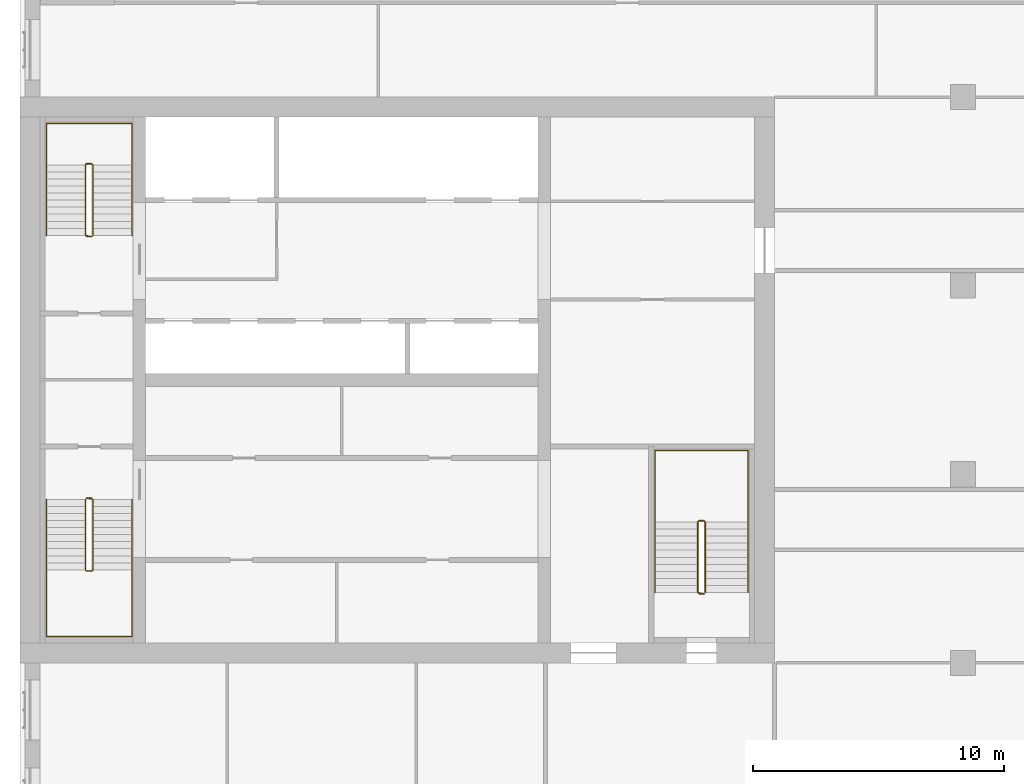
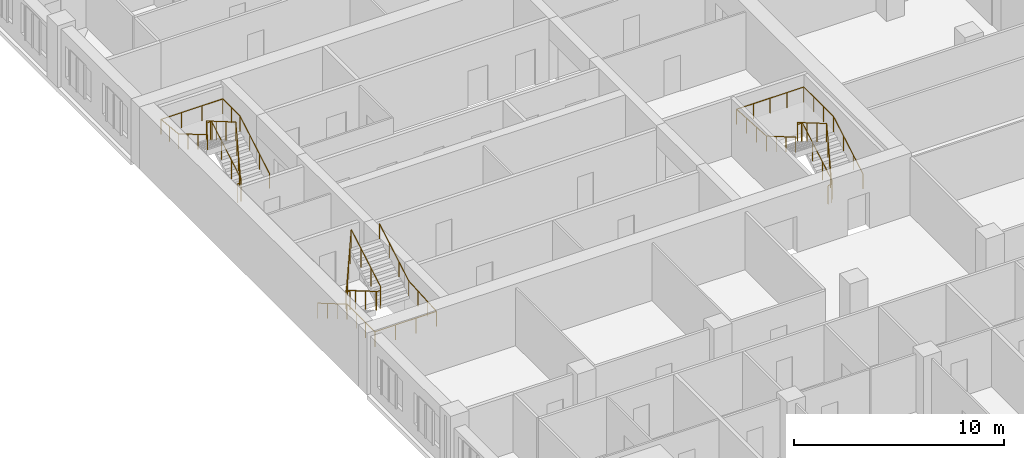
# One storey, part 13 of 13: 6 railings.
"""IFC4 building model written with IfcOpenShell, lengths in metres."""

from ifc_helpers import new_model, si_unit, direction, frame, origin, origin_2d, place, context, subcontext, project, spatial, circle, extrude, material, type_object, element, save


model = new_model("IFC4")

# Units and contexts
model_context = context("Model", 3, precision=1e-05, world=origin(), true_north=direction((0.0, 1.0)))
body_context = subcontext(model_context, "Body", "Model", "MODEL_VIEW")
ifc_project = project(units=[si_unit("LENGTHUNIT", "METRE"), si_unit("AREAUNIT", "SQUARE_METRE"), si_unit("VOLUMEUNIT", "CUBIC_METRE"), si_unit("PLANEANGLEUNIT", "RADIAN"), si_unit("MASSUNIT", "GRAM", prefix="KILO")], contexts=[model_context])

# Site, building, storey
site_placement = place(None, origin())
site = spatial("IfcSite", under=ifc_project, at=site_placement, CompositionType="ELEMENT")
building_placement = place(site_placement, origin())
building = spatial("IfcBuilding", under=site, at=building_placement, Name="Tamorin Gate", CompositionType="ELEMENT")
storey_placement = place(building_placement, frame((0.0, 0.0, 130.199951171875)))
storey = spatial("IfcBuildingStorey", under=building, at=storey_placement, Name="L31", CompositionType="ELEMENT", Elevation=130.199951171875)

# Railings
ifc_material_1 = material(Name="Painted steel balustrade", Category="steel")
railing_type_1 = type_object("IfcRailingType", Name="Stair guard 1100", PredefinedType="GUARDRAIL", material=ifc_material_1)
railing_1_placement = place(storey_placement, frame((32.60009765625, 66.5, 0.16357421875)))
element("IfcRailing", 1, at=railing_1_placement, inside=storey, type_object=railing_type_1, Name="L31 ST1 stair guard 1", PredefinedType="GUARDRAIL", context=body_context, shape_type="SweptSolid", body=[
    extrude(circle(Radius=0.02392578125, at=origin_2d()), frame((0.0, 0.0, 1.076171875), z_axis=(0.0, -0.863360870873, 0.504586966384), x_axis=(1.0, 0.0, 0.0)), (0.0, 0.0, 1.0), 3.2431640625),
    extrude(circle(Radius=0.02392578125, at=origin_2d()), frame((0.0, -2.800048828125, 2.71240234375), z_axis=(0.705375805398, -0.708833529934, 0.0), x_axis=(0.708833529934, 0.705375805398, 0.0)), (0.0, 0.0, 1.0), 0.070556640625),
    extrude(circle(Radius=0.02392578125, at=origin_2d()), frame((0.0498046875, -2.85009765625, 2.71240234375), z_axis=(1.0, 0.0, 0.0), x_axis=(0.0, 1.0, 0.0)), (0.0, 0.0, 1.0), 0.2001953125),
    extrude(circle(Radius=0.02392578125, at=origin_2d()), frame((0.25, -2.85009765625, 2.71240234375), z_axis=(0.279546231943, 0.280916556609, 0.91811752648), x_axis=(-0.708833529934, 0.705375805398, 0.0)), (0.0, 0.0, 1.0), 0.17822265625),
    extrude(circle(Radius=0.02392578125, at=origin_2d()), frame((0.2998046875, -2.800048828125, 2.8759765625), z_axis=(0.0, 0.863360870873, 0.504586966384), x_axis=(-1.0, 0.0, 0.0)), (0.0, 0.0, 1.0), 3.2431640625),
    extrude(circle(Radius=0.02392578125, at=origin_2d()), frame((0.2998046875, 0.0, 4.5126953125), z_axis=(-0.069269067181, 0.013867342551, -0.997501625634), x_axis=(-0.196300278283, -0.98054382908, 0.0)), (0.0, 0.0, 1.0), 3.609130859375),
    extrude(circle(Radius=0.02392578125, at=origin_2d()), frame((0.0498046875, 0.050048828125, 0.91259765625), z_axis=(1.0, 0.0, 0.0), x_axis=(0.0, 1.0, 0.0)), (0.0, 0.0, 1.0), 0.2001953125),
    extrude(circle(Radius=0.02099609375, at=origin_2d()), origin(), (0.0, 0.0, 1.0), 1.052001953125),
    extrude(circle(Radius=0.02099609375, at=origin_2d()), frame((0.0, -0.933349609375, 0.54541015625)), (0.0, 0.0, 1.0), 1.052001953125),
    extrude(circle(Radius=0.02099609375, at=origin_2d()), frame((0.0, -1.86669921875, 1.091064453125)), (0.0, 0.0, 1.0), 1.052001953125),
    extrude(circle(Radius=0.02099609375, at=origin_2d()), frame((0.0, -2.800048828125, 1.636474609375)), (0.0, 0.0, 1.0), 1.052001953125),
    extrude(circle(Radius=0.02099609375, at=origin_2d()), frame((0.0498046875, -2.85009765625, 1.636474609375)), (0.0, 0.0, 1.0), 1.052001953125),
    extrude(circle(Radius=0.02099609375, at=origin_2d()), frame((0.25, -2.85009765625, 1.636474609375)), (0.0, 0.0, 1.0), 1.052001953125),
    extrude(circle(Radius=0.02099609375, at=origin_2d()), frame((0.2998046875, -2.800048828125, 1.800048828125)), (0.0, 0.0, 1.0), 1.052001953125),
    extrude(circle(Radius=0.02099609375, at=origin_2d()), frame((0.2998046875, -1.86669921875, 2.345458984375)), (0.0, 0.0, 1.0), 1.052001953125),
    extrude(circle(Radius=0.02099609375, at=origin_2d()), frame((0.2998046875, -0.933349609375, 2.89111328125)), (0.0, 0.0, 1.0), 1.052001953125),
    extrude(circle(Radius=0.02099609375, at=origin_2d()), frame((0.2998046875, 0.0, 3.4365234375)), (0.0, 0.0, 1.0), 1.052001953125),
    extrude(circle(Radius=0.02099609375, at=origin_2d()), frame((0.2373046875, 0.012451171875, 2.53662109375)), (0.0, 0.0, 1.0), 1.052001953125),
    extrude(circle(Radius=0.02099609375, at=origin_2d()), frame((0.1748046875, 0.02490234375, 1.636474609375)), (0.0, 0.0, 1.0), 1.052001953125),
    extrude(circle(Radius=0.02099609375, at=origin_2d()), frame((0.1123046875, 0.03759765625, 0.736328125)), (0.0, 0.0, 1.0), 1.052001953125),
    extrude(circle(Radius=0.02099609375, at=origin_2d()), frame((0.0498046875, 0.050048828125, -0.16357421875)), (0.0, 0.0, 1.0), 1.052001953125),
    extrude(circle(Radius=0.02099609375, at=origin_2d()), frame((0.25, 0.050048828125, -0.16357421875)), (0.0, 0.0, 1.0), 1.052001953125),
])
railing_2_placement = place(storey_placement, frame((32.89990234375, 77.0, 0.16357421875)))
element("IfcRailing", 2, at=railing_2_placement, inside=storey, type_object=railing_type_1, Name="L31 ST2 stair guard 1", PredefinedType="GUARDRAIL", context=body_context, shape_type="SweptSolid", body=[
    extrude(circle(Radius=0.02392578125, at=origin_2d()), frame((0.0, 0.0, 1.076171875), z_axis=(0.0, 0.863360870873, 0.504586966384), x_axis=(-1.0, 0.0, 0.0)), (0.0, 0.0, 1.0), 3.2431640625),
    extrude(circle(Radius=0.02392578125, at=origin_2d()), frame((0.0, 2.800048828125, 2.71240234375), z_axis=(-0.705375805398, 0.708833529934, 0.0), x_axis=(-0.708833529934, -0.705375805398, 0.0)), (0.0, 0.0, 1.0), 0.070556640625),
    extrude(circle(Radius=0.02392578125, at=origin_2d()), frame((-0.0498046875, 2.85009765625, 2.71240234375), z_axis=(-1.0, 0.0, 0.0), x_axis=(0.0, -1.0, 0.0)), (0.0, 0.0, 1.0), 0.2001953125),
    extrude(circle(Radius=0.02392578125, at=origin_2d()), frame((-0.25, 2.85009765625, 2.71240234375), z_axis=(-0.279546231943, -0.280916556609, 0.91811752648), x_axis=(0.708833529934, -0.705375805398, 0.0)), (0.0, 0.0, 1.0), 0.17822265625),
    extrude(circle(Radius=0.02392578125, at=origin_2d()), frame((-0.2998046875, 2.800048828125, 2.8759765625), z_axis=(0.0, -0.863360870873, 0.504586966384), x_axis=(1.0, 0.0, 0.0)), (0.0, 0.0, 1.0), 3.2431640625),
    extrude(circle(Radius=0.02392578125, at=origin_2d()), frame((-0.2998046875, 0.0, 4.5126953125), z_axis=(0.069269067181, -0.013867342551, -0.997501625634), x_axis=(0.196300278283, 0.98054382908, 0.0)), (0.0, 0.0, 1.0), 3.609130859375),
    extrude(circle(Radius=0.02392578125, at=origin_2d()), frame((-0.0498046875, -0.050048828125, 0.91259765625), z_axis=(-1.0, 0.0, 0.0), x_axis=(0.0, -1.0, 0.0)), (0.0, 0.0, 1.0), 0.2001953125),
    extrude(circle(Radius=0.02099609375, at=origin_2d()), origin(), (0.0, 0.0, 1.0), 1.052001953125),
    extrude(circle(Radius=0.02099609375, at=origin_2d()), frame((0.0, 0.933349609375, 0.54541015625)), (0.0, 0.0, 1.0), 1.052001953125),
    extrude(circle(Radius=0.02099609375, at=origin_2d()), frame((0.0, 1.86669921875, 1.091064453125)), (0.0, 0.0, 1.0), 1.052001953125),
    extrude(circle(Radius=0.02099609375, at=origin_2d()), frame((0.0, 2.800048828125, 1.636474609375)), (0.0, 0.0, 1.0), 1.052001953125),
    extrude(circle(Radius=0.02099609375, at=origin_2d()), frame((-0.0498046875, 2.85009765625, 1.636474609375)), (0.0, 0.0, 1.0), 1.052001953125),
    extrude(circle(Radius=0.02099609375, at=origin_2d()), frame((-0.25, 2.85009765625, 1.636474609375)), (0.0, 0.0, 1.0), 1.052001953125),
    extrude(circle(Radius=0.02099609375, at=origin_2d()), frame((-0.2998046875, 2.800048828125, 1.800048828125)), (0.0, 0.0, 1.0), 1.052001953125),
    extrude(circle(Radius=0.02099609375, at=origin_2d()), frame((-0.2998046875, 1.86669921875, 2.345458984375)), (0.0, 0.0, 1.0), 1.052001953125),
    extrude(circle(Radius=0.02099609375, at=origin_2d()), frame((-0.2998046875, 0.933349609375, 2.89111328125)), (0.0, 0.0, 1.0), 1.052001953125),
    extrude(circle(Radius=0.02099609375, at=origin_2d()), frame((-0.2998046875, 0.0, 3.4365234375)), (0.0, 0.0, 1.0), 1.052001953125),
    extrude(circle(Radius=0.02099609375, at=origin_2d()), frame((-0.2373046875, -0.012451171875, 2.53662109375)), (0.0, 0.0, 1.0), 1.052001953125),
    extrude(circle(Radius=0.02099609375, at=origin_2d()), frame((-0.1748046875, -0.02490234375, 1.636474609375)), (0.0, 0.0, 1.0), 1.052001953125),
    extrude(circle(Radius=0.02099609375, at=origin_2d()), frame((-0.1123046875, -0.03759765625, 0.736328125)), (0.0, 0.0, 1.0), 1.052001953125),
    extrude(circle(Radius=0.02099609375, at=origin_2d()), frame((-0.0498046875, -0.050048828125, -0.16357421875)), (0.0, 0.0, 1.0), 1.052001953125),
    extrude(circle(Radius=0.02099609375, at=origin_2d()), frame((-0.25, -0.050048828125, -0.16357421875)), (0.0, 0.0, 1.0), 1.052001953125),
])
railing_3_placement = place(storey_placement, frame((57.25, 62.800048828125, 0.16357421875)))
element("IfcRailing", 3, at=railing_3_placement, inside=storey, type_object=railing_type_1, Name="L31 ST3 stair guard 1", PredefinedType="GUARDRAIL", context=body_context, shape_type="SweptSolid", body=[
    extrude(circle(Radius=0.02392578125, at=origin_2d()), frame((0.0, 0.0, 1.076171875), z_axis=(0.0, 0.863360870873, 0.504586966384), x_axis=(-1.0, 0.0, 0.0)), (0.0, 0.0, 1.0), 3.2431640625),
    extrude(circle(Radius=0.02392578125, at=origin_2d()), frame((0.0, 2.800048828125, 2.71240234375), z_axis=(-0.708833529934, 0.705375805398, 0.0), x_axis=(-0.705375805398, -0.708833529934, 0.0)), (0.0, 0.0, 1.0), 0.070556640625),
    extrude(circle(Radius=0.02392578125, at=origin_2d()), frame((-0.050048828125, 2.849853515625, 2.71240234375), z_axis=(-1.0, 0.0, 0.0), x_axis=(0.0, -1.0, 0.0)), (0.0, 0.0, 1.0), 0.199951171875),
    extrude(circle(Radius=0.02392578125, at=origin_2d()), frame((-0.25, 2.849853515625, 2.71240234375), z_axis=(-0.280916556609, -0.279546231943, 0.91811752648), x_axis=(0.705375805398, -0.708833529934, 0.0)), (0.0, 0.0, 1.0), 0.17822265625),
    extrude(circle(Radius=0.02392578125, at=origin_2d()), frame((-0.300048828125, 2.800048828125, 2.8759765625), z_axis=(0.0, -0.863360870873, 0.504586966384), x_axis=(1.0, 0.0, 0.0)), (0.0, 0.0, 1.0), 3.2431640625),
    extrude(circle(Radius=0.02392578125, at=origin_2d()), frame((-0.300048828125, 0.0, 4.5126953125), z_axis=(0.069269067181, -0.013867342551, -0.997501625634), x_axis=(0.196300278283, 0.98054382908, 0.0)), (0.0, 0.0, 1.0), 3.609130859375),
    extrude(circle(Radius=0.02392578125, at=origin_2d()), frame((-0.050048828125, -0.050048828125, 0.91259765625), z_axis=(-1.0, 0.0, 0.0), x_axis=(0.0, -1.0, 0.0)), (0.0, 0.0, 1.0), 0.199951171875),
    extrude(circle(Radius=0.02099609375, at=origin_2d()), origin(), (0.0, 0.0, 1.0), 1.052001953125),
    extrude(circle(Radius=0.02099609375, at=origin_2d()), frame((0.0, 0.933349609375, 0.54541015625)), (0.0, 0.0, 1.0), 1.052001953125),
    extrude(circle(Radius=0.02099609375, at=origin_2d()), frame((0.0, 1.86669921875, 1.091064453125)), (0.0, 0.0, 1.0), 1.052001953125),
    extrude(circle(Radius=0.02099609375, at=origin_2d()), frame((0.0, 2.800048828125, 1.636474609375)), (0.0, 0.0, 1.0), 1.052001953125),
    extrude(circle(Radius=0.02099609375, at=origin_2d()), frame((-0.050048828125, 2.849853515625, 1.636474609375)), (0.0, 0.0, 1.0), 1.052001953125),
    extrude(circle(Radius=0.02099609375, at=origin_2d()), frame((-0.25, 2.849853515625, 1.636474609375)), (0.0, 0.0, 1.0), 1.052001953125),
    extrude(circle(Radius=0.02099609375, at=origin_2d()), frame((-0.300048828125, 2.800048828125, 1.800048828125)), (0.0, 0.0, 1.0), 1.052001953125),
    extrude(circle(Radius=0.02099609375, at=origin_2d()), frame((-0.300048828125, 1.86669921875, 2.345458984375)), (0.0, 0.0, 1.0), 1.052001953125),
    extrude(circle(Radius=0.02099609375, at=origin_2d()), frame((-0.300048828125, 0.933349609375, 2.89111328125)), (0.0, 0.0, 1.0), 1.052001953125),
    extrude(circle(Radius=0.02099609375, at=origin_2d()), frame((-0.300048828125, 0.0, 3.4365234375)), (0.0, 0.0, 1.0), 1.052001953125),
    extrude(circle(Radius=0.02099609375, at=origin_2d()), frame((-0.237548828125, -0.012451171875, 2.53662109375)), (0.0, 0.0, 1.0), 1.052001953125),
    extrude(circle(Radius=0.02099609375, at=origin_2d()), frame((-0.175048828125, -0.02490234375, 1.636474609375)), (0.0, 0.0, 1.0), 1.052001953125),
    extrude(circle(Radius=0.02099609375, at=origin_2d()), frame((-0.112548828125, -0.03759765625, 0.736328125)), (0.0, 0.0, 1.0), 1.052001953125),
    extrude(circle(Radius=0.02099609375, at=origin_2d()), frame((-0.050048828125, -0.050048828125, -0.16357421875)), (0.0, 0.0, 1.0), 1.052001953125),
    extrude(circle(Radius=0.02099609375, at=origin_2d()), frame((-0.25, -0.050048828125, -0.16357421875)), (0.0, 0.0, 1.0), 1.052001953125),
])
ifc_material_2 = material(Name="Painted steel handrail", Category="steel")
railing_type_2 = type_object("IfcRailingType", Name="Stair handrail 900", PredefinedType="HANDRAIL", material=ifc_material_2)
railing_4_placement = place(storey_placement, frame((31.050048828125, 66.5, 0.16357421875)))
element("IfcRailing", 4, at=railing_4_placement, inside=storey, type_object=railing_type_2, Name="L31 ST1 stair handrail 1", PredefinedType="HANDRAIL", context=body_context, shape_type="SweptSolid", body=[
    extrude(circle(Radius=0.02392578125, at=origin_2d()), frame((0.0, 0.0, 0.8759765625), z_axis=(0.0, -0.863360870873, 0.504586966384), x_axis=(1.0, 0.0, 0.0)), (0.0, 0.0, 1.0), 3.2431640625),
    extrude(circle(Radius=0.02392578125, at=origin_2d()), frame((0.0, -2.800048828125, 2.51220703125), z_axis=(0.0, -1.0, 0.0), x_axis=(1.0, 0.0, 0.0)), (0.0, 0.0, 1.0), 2.64990234375),
    extrude(circle(Radius=0.02392578125, at=origin_2d()), frame((0.0, -5.449951171875, 2.51220703125), z_axis=(1.0, 0.0, 0.0), x_axis=(0.0, 1.0, 0.0)), (0.0, 0.0, 1.0), 3.39990234375),
    extrude(circle(Radius=0.02392578125, at=origin_2d()), frame((3.39990234375, -5.449951171875, 2.51220703125), z_axis=(0.0, 0.998100230056, 0.061611125312), x_axis=(-1.0, 0.0, 0.0)), (0.0, 0.0, 1.0), 2.655029296875),
    extrude(circle(Radius=0.02392578125, at=origin_2d()), frame((3.39990234375, -2.800048828125, 2.67578125), z_axis=(0.0, 0.863360870873, 0.504586966384), x_axis=(-1.0, 0.0, 0.0)), (0.0, 0.0, 1.0), 3.2431640625),
    extrude(circle(Radius=0.02099609375, at=origin_2d()), origin(), (0.0, 0.0, 1.0), 0.851806640625),
    extrude(circle(Radius=0.02099609375, at=origin_2d()), frame((0.0, -0.933349609375, 0.54541015625)), (0.0, 0.0, 1.0), 0.851806640625),
    extrude(circle(Radius=0.02099609375, at=origin_2d()), frame((0.0, -1.86669921875, 1.091064453125)), (0.0, 0.0, 1.0), 0.851806640625),
    extrude(circle(Radius=0.02099609375, at=origin_2d()), frame((0.0, -2.800048828125, 1.636474609375)), (0.0, 0.0, 1.0), 0.851806640625),
    extrude(circle(Radius=0.02099609375, at=origin_2d()), frame((0.0, -3.683349609375, 1.636474609375)), (0.0, 0.0, 1.0), 0.851806640625),
    extrude(circle(Radius=0.02099609375, at=origin_2d()), frame((0.0, -4.566650390625, 1.636474609375)), (0.0, 0.0, 1.0), 0.851806640625),
    extrude(circle(Radius=0.02099609375, at=origin_2d()), frame((0.0, -5.449951171875, 1.636474609375)), (0.0, 0.0, 1.0), 0.851806640625),
    extrude(circle(Radius=0.02099609375, at=origin_2d()), frame((1.13330078125, -5.449951171875, 1.636474609375)), (0.0, 0.0, 1.0), 0.851806640625),
    extrude(circle(Radius=0.02099609375, at=origin_2d()), frame((2.2666015625, -5.449951171875, 1.636474609375)), (0.0, 0.0, 1.0), 0.851806640625),
    extrude(circle(Radius=0.02099609375, at=origin_2d()), frame((3.39990234375, -5.449951171875, 1.636474609375)), (0.0, 0.0, 1.0), 0.851806640625),
    extrude(circle(Radius=0.02099609375, at=origin_2d()), frame((3.39990234375, -4.566650390625, 1.69091796875)), (0.0, 0.0, 1.0), 0.851806640625),
    extrude(circle(Radius=0.02099609375, at=origin_2d()), frame((3.39990234375, -3.683349609375, 1.74560546875)), (0.0, 0.0, 1.0), 0.851806640625),
    extrude(circle(Radius=0.02099609375, at=origin_2d()), frame((3.39990234375, -2.800048828125, 1.800048828125)), (0.0, 0.0, 1.0), 0.851806640625),
    extrude(circle(Radius=0.02099609375, at=origin_2d()), frame((3.39990234375, -1.86669921875, 2.345458984375)), (0.0, 0.0, 1.0), 0.851806640625),
    extrude(circle(Radius=0.02099609375, at=origin_2d()), frame((3.39990234375, -0.933349609375, 2.89111328125)), (0.0, 0.0, 1.0), 0.851806640625),
    extrude(circle(Radius=0.02099609375, at=origin_2d()), frame((3.39990234375, 0.0, 3.4365234375)), (0.0, 0.0, 1.0), 0.851806640625),
])
railing_5_placement = place(storey_placement, frame((34.449951171875, 77.0, 0.16357421875)))
element("IfcRailing", 5, at=railing_5_placement, inside=storey, type_object=railing_type_2, Name="L31 ST2 stair handrail 1", PredefinedType="HANDRAIL", context=body_context, shape_type="SweptSolid", body=[
    extrude(circle(Radius=0.02392578125, at=origin_2d()), frame((0.0, 0.0, 0.8759765625), z_axis=(0.0, 0.863360870873, 0.504586966384), x_axis=(-1.0, 0.0, 0.0)), (0.0, 0.0, 1.0), 3.2431640625),
    extrude(circle(Radius=0.02392578125, at=origin_2d()), frame((0.0, 2.800048828125, 2.51220703125), z_axis=(0.0, 1.0, 0.0), x_axis=(-1.0, 0.0, 0.0)), (0.0, 0.0, 1.0), 1.64990234375),
    extrude(circle(Radius=0.02392578125, at=origin_2d()), frame((0.0, 4.449951171875, 2.51220703125), z_axis=(-1.0, 0.0, 0.0), x_axis=(0.0, -1.0, 0.0)), (0.0, 0.0, 1.0), 3.39990234375),
    extrude(circle(Radius=0.02392578125, at=origin_2d()), frame((-3.39990234375, 4.449951171875, 2.51220703125), z_axis=(0.0, -0.995121390814, 0.098658084026), x_axis=(1.0, 0.0, 0.0)), (0.0, 0.0, 1.0), 1.657958984375),
    extrude(circle(Radius=0.02392578125, at=origin_2d()), frame((-3.39990234375, 2.800048828125, 2.67578125), z_axis=(0.0, -0.863360870873, 0.504586966384), x_axis=(1.0, 0.0, 0.0)), (0.0, 0.0, 1.0), 3.2431640625),
    extrude(circle(Radius=0.02099609375, at=origin_2d()), origin(), (0.0, 0.0, 1.0), 0.851806640625),
    extrude(circle(Radius=0.02099609375, at=origin_2d()), frame((0.0, 0.933349609375, 0.54541015625)), (0.0, 0.0, 1.0), 0.851806640625),
    extrude(circle(Radius=0.02099609375, at=origin_2d()), frame((0.0, 1.86669921875, 1.091064453125)), (0.0, 0.0, 1.0), 0.851806640625),
    extrude(circle(Radius=0.02099609375, at=origin_2d()), frame((0.0, 2.800048828125, 1.636474609375)), (0.0, 0.0, 1.0), 0.851806640625),
    extrude(circle(Radius=0.02099609375, at=origin_2d()), frame((0.0, 3.625, 1.636474609375)), (0.0, 0.0, 1.0), 0.851806640625),
    extrude(circle(Radius=0.02099609375, at=origin_2d()), frame((0.0, 4.449951171875, 1.636474609375)), (0.0, 0.0, 1.0), 0.851806640625),
    extrude(circle(Radius=0.02099609375, at=origin_2d()), frame((-1.13330078125, 4.449951171875, 1.636474609375)), (0.0, 0.0, 1.0), 0.851806640625),
    extrude(circle(Radius=0.02099609375, at=origin_2d()), frame((-2.2666015625, 4.449951171875, 1.636474609375)), (0.0, 0.0, 1.0), 0.851806640625),
    extrude(circle(Radius=0.02099609375, at=origin_2d()), frame((-3.39990234375, 4.449951171875, 1.636474609375)), (0.0, 0.0, 1.0), 0.851806640625),
    extrude(circle(Radius=0.02099609375, at=origin_2d()), frame((-3.39990234375, 3.625, 1.71826171875)), (0.0, 0.0, 1.0), 0.851806640625),
    extrude(circle(Radius=0.02099609375, at=origin_2d()), frame((-3.39990234375, 2.800048828125, 1.800048828125)), (0.0, 0.0, 1.0), 0.851806640625),
    extrude(circle(Radius=0.02099609375, at=origin_2d()), frame((-3.39990234375, 1.86669921875, 2.345458984375)), (0.0, 0.0, 1.0), 0.851806640625),
    extrude(circle(Radius=0.02099609375, at=origin_2d()), frame((-3.39990234375, 0.933349609375, 2.89111328125)), (0.0, 0.0, 1.0), 0.851806640625),
    extrude(circle(Radius=0.02099609375, at=origin_2d()), frame((-3.39990234375, 0.0, 3.4365234375)), (0.0, 0.0, 1.0), 0.851806640625),
])
railing_6_placement = place(storey_placement, frame((58.949951171875, 62.800048828125, 0.16357421875)))
element("IfcRailing", 6, at=railing_6_placement, inside=storey, type_object=railing_type_2, Name="L31 ST3 stair handrail 1", PredefinedType="HANDRAIL", context=body_context, shape_type="SweptSolid", body=[
    extrude(circle(Radius=0.02392578125, at=origin_2d()), frame((0.0, 0.0, 0.8759765625), z_axis=(0.0, 0.863360870873, 0.504586966384), x_axis=(-1.0, 0.0, 0.0)), (0.0, 0.0, 1.0), 3.2431640625),
    extrude(circle(Radius=0.02392578125, at=origin_2d()), frame((0.0, 2.800048828125, 2.51220703125), z_axis=(0.0, 1.0, 0.0), x_axis=(-1.0, 0.0, 0.0)), (0.0, 0.0, 1.0), 2.849853515625),
    extrude(circle(Radius=0.02392578125, at=origin_2d()), frame((0.0, 5.64990234375, 2.51220703125), z_axis=(-1.0, 0.0, 0.0), x_axis=(0.0, -1.0, 0.0)), (0.0, 0.0, 1.0), 3.699951171875),
    extrude(circle(Radius=0.02392578125, at=origin_2d()), frame((-3.699951171875, 5.64990234375, 2.51220703125), z_axis=(0.0, -0.998356827416, 0.057303098978), x_axis=(1.0, 0.0, 0.0)), (0.0, 0.0, 1.0), 2.8544921875),
    extrude(circle(Radius=0.02392578125, at=origin_2d()), frame((-3.699951171875, 2.800048828125, 2.67578125), z_axis=(0.0, -0.863360870873, 0.504586966384), x_axis=(1.0, 0.0, 0.0)), (0.0, 0.0, 1.0), 3.2431640625),
    extrude(circle(Radius=0.02099609375, at=origin_2d()), origin(), (0.0, 0.0, 1.0), 0.851806640625),
    extrude(circle(Radius=0.02099609375, at=origin_2d()), frame((0.0, 0.933349609375, 0.54541015625)), (0.0, 0.0, 1.0), 0.851806640625),
    extrude(circle(Radius=0.02099609375, at=origin_2d()), frame((0.0, 1.86669921875, 1.091064453125)), (0.0, 0.0, 1.0), 0.851806640625),
    extrude(circle(Radius=0.02099609375, at=origin_2d()), frame((0.0, 2.800048828125, 1.636474609375)), (0.0, 0.0, 1.0), 0.851806640625),
    extrude(circle(Radius=0.02099609375, at=origin_2d()), frame((0.0, 3.75, 1.636474609375)), (0.0, 0.0, 1.0), 0.851806640625),
    extrude(circle(Radius=0.02099609375, at=origin_2d()), frame((0.0, 4.699951171875, 1.636474609375)), (0.0, 0.0, 1.0), 0.851806640625),
    extrude(circle(Radius=0.02099609375, at=origin_2d()), frame((0.0, 5.64990234375, 1.636474609375)), (0.0, 0.0, 1.0), 0.851806640625),
    extrude(circle(Radius=0.02099609375, at=origin_2d()), frame((-0.925048828125, 5.64990234375, 1.636474609375)), (0.0, 0.0, 1.0), 0.851806640625),
    extrude(circle(Radius=0.02099609375, at=origin_2d()), frame((-1.85009765625, 5.64990234375, 1.636474609375)), (0.0, 0.0, 1.0), 0.851806640625),
    extrude(circle(Radius=0.02099609375, at=origin_2d()), frame((-2.77490234375, 5.64990234375, 1.636474609375)), (0.0, 0.0, 1.0), 0.851806640625),
    extrude(circle(Radius=0.02099609375, at=origin_2d()), frame((-3.699951171875, 5.64990234375, 1.636474609375)), (0.0, 0.0, 1.0), 0.851806640625),
    extrude(circle(Radius=0.02099609375, at=origin_2d()), frame((-3.699951171875, 4.699951171875, 1.69091796875)), (0.0, 0.0, 1.0), 0.851806640625),
    extrude(circle(Radius=0.02099609375, at=origin_2d()), frame((-3.699951171875, 3.75, 1.74560546875)), (0.0, 0.0, 1.0), 0.851806640625),
    extrude(circle(Radius=0.02099609375, at=origin_2d()), frame((-3.699951171875, 2.800048828125, 1.800048828125)), (0.0, 0.0, 1.0), 0.851806640625),
    extrude(circle(Radius=0.02099609375, at=origin_2d()), frame((-3.699951171875, 1.86669921875, 2.345458984375)), (0.0, 0.0, 1.0), 0.851806640625),
    extrude(circle(Radius=0.02099609375, at=origin_2d()), frame((-3.699951171875, 0.933349609375, 2.89111328125)), (0.0, 0.0, 1.0), 0.851806640625),
    extrude(circle(Radius=0.02099609375, at=origin_2d()), frame((-3.699951171875, 0.0, 3.4365234375)), (0.0, 0.0, 1.0), 0.851806640625),
])

save(model, "model.ifc")
